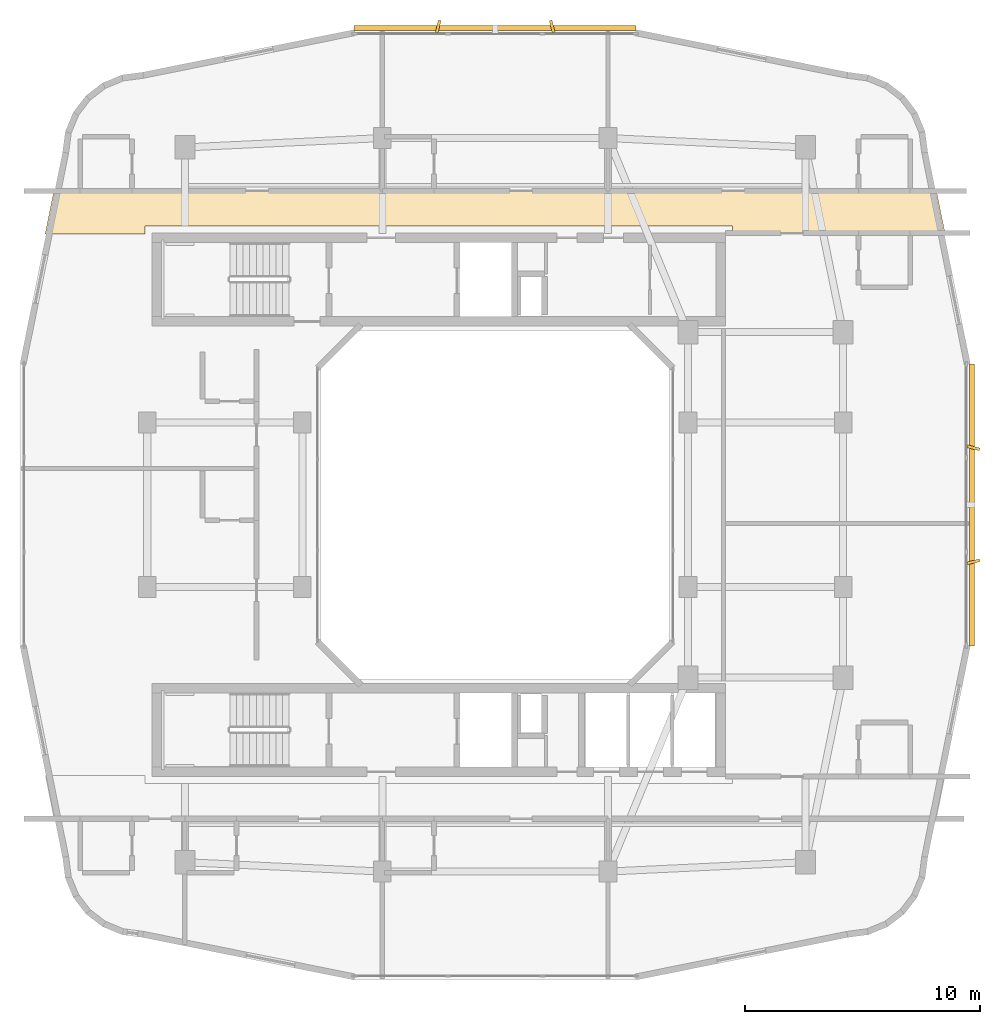
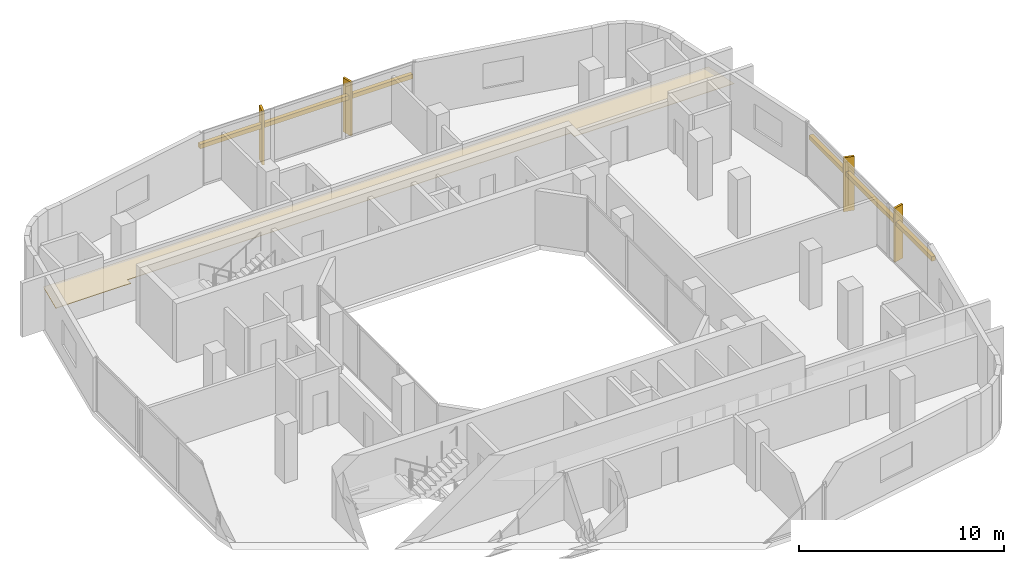
# One storey, part 14 of 14: 6 shading devices, 1 covering.
"""IFC4 building model written with IfcOpenShell, lengths in metres."""

from ifc_helpers import new_model, si_unit, derived_unit, direction, frame, origin, origin_2d, place, context, subcontext, project, spatial, polyline, rectangle, outline, extrude, material, layer, layer_set, type_object, element, save


model = new_model("IFC4")

# Units and contexts
model_context = context("Model", 3, precision=1e-05, world=origin(), true_north=direction((0.0, 1.0)))
body_context = subcontext(model_context, "Body", "Model", "MODEL_VIEW")
ifc_project = project(units=[si_unit("LENGTHUNIT", "METRE"), si_unit("AREAUNIT", "SQUARE_METRE"), si_unit("VOLUMEUNIT", "CUBIC_METRE"), si_unit("PLANEANGLEUNIT", "RADIAN"), si_unit("MASSUNIT", "GRAM", prefix="KILO"), derived_unit("THERMALTRANSMITTANCEUNIT", [(si_unit("POWERUNIT", "WATT"), 1), (si_unit("LENGTHUNIT", "METRE"), -2), (si_unit("THERMODYNAMICTEMPERATUREUNIT", "KELVIN"), -1)])], contexts=[model_context])

# Site, building, storey
site_placement = place(None, origin())
site = spatial("IfcSite", under=ifc_project, at=site_placement, CompositionType="ELEMENT")
building_placement = place(site_placement, origin())
building = spatial("IfcBuilding", under=site, at=building_placement, Name="Kivonza Crest Hotel", CompositionType="ELEMENT")
storey_placement = place(building_placement, frame((0.0, 0.0, 145.0)))
storey = spatial("IfcBuildingStorey", under=building, at=storey_placement, Name="L39", CompositionType="ELEMENT", Elevation=145.0)

# Covering
ifc_material_1 = material(Name="Moisture-resistant gypsum plasterboard ceiling", Category="gypsum")
ifc_layer = layer(ifc_material_1, 0.030029296875)
ifc_layer_set = layer_set([ifc_layer], Name="Moisture-resistant gypsum plasterboard ceiling")
covering_type = type_object("IfcCoveringType", Name="CV-CEIL-GYP", PredefinedType="CEILING", material=ifc_layer_set)
covering_placement = place(storey_placement, frame((0.0, 0.0, 2.449951171875)))
element("IfcCovering", 1, at=covering_placement, inside=storey, type_object=covering_type, Name="L39 Hotel North Guest Corridor suspended ceiling", PredefinedType="CEILING", context=body_context, shape_type="SweptSolid", body=[
    extrude(outline(polyline([(2.235107421875, 38.389892578125), (1.85791015625, 36.52001953125), (6.10009765625, 36.52001953125), (6.10009765625, 36.860107421875), (31.10009765625, 36.860107421875), (31.10009765625, 36.52001953125), (40.14208984375, 36.52001953125), (39.764892578125, 38.389892578125), (2.235107421875, 38.389892578125)])), origin(), (0.0, 0.0, 1.0), 0.030029296875),
])

# Shading devices
ifc_material_2 = material(Name="Kiln-fired Nairobi red-ochre terracotta", Category="masonry")
shading_device_type_1 = type_object("IfcShadingDeviceType", Name="SH-BAGUETTE-300", PredefinedType="USERDEFINED", material=ifc_material_2)
for number, where, z_axis, x_axis, name in (
    (2, (41.280029296875, 25.0, 2.1240234375), (0.0, 0.0, 1.0), (0.0, 1.0, 0.0), "L39 terracotta baguette screen CW-T1-L39-17"),
    (3, (21.0, 45.280029296875, 2.1240234375), (0.0, 0.0, 1.0), (-1.0, 0.0, 0.0), "L39 terracotta baguette screen CW-T1-L39-26"),
):
    element("IfcShadingDevice", number, at=place(storey_placement, frame(where, z_axis=z_axis, x_axis=x_axis)), inside=storey, type_object=shading_device_type_1, Name=name, ObjectType="BAGUETTE", PredefinedType="USERDEFINED", context=body_context, shape_type="SweptSolid", body=[
        extrude(rectangle(XDim=12.0, YDim=0.219970703125, at=origin_2d()), origin(), (0.0, 0.0, 1.0), 0.260009765625),
    ])
ifc_material_3 = material(Name="Kiln-fired terracotta over extruded aluminium spine", Category="masonry")
shading_device_type_2 = type_object("IfcShadingDeviceType", Name="SH-FIN-550", PredefinedType="USERDEFINED", material=ifc_material_3)
for number, where, z_axis, x_axis, name in (
    (4, (41.340087890625, 22.575927734375, 0.0), (0.0, 0.0, 1.0), (-0.2419218956, 0.970295726276, 0.0), "L39 vertical solar shading fin CW-T1-L39-17-1"),
    (5, (41.340087890625, 27.424072265625, 0.0), (0.0, 0.0, 1.0), (0.2419218956, 0.970295726276, 0.0), "L39 vertical solar shading fin CW-T1-L39-17-2"),
    (6, (23.424072265625, 45.340087890625, 0.0), (0.0, 0.0, 1.0), (-0.970295726276, -0.2419218956, 0.0), "L39 vertical solar shading fin CW-T1-L39-26-1"),
    (7, (18.575927734375, 45.340087890625, 0.0), (0.0, 0.0, 1.0), (-0.970295726276, 0.2419218956, 0.0), "L39 vertical solar shading fin CW-T1-L39-26-2"),
):
    element("IfcShadingDevice", number, at=place(storey_placement, frame(where, z_axis=z_axis, x_axis=x_axis)), inside=storey, type_object=shading_device_type_2, Name=name, ObjectType="FIN", PredefinedType="USERDEFINED", context=body_context, shape_type="SweptSolid", body=[
        extrude(rectangle(XDim=0.1201171875, YDim=0.550048828125, at=origin_2d()), origin(), (0.0, 0.0, 1.0), 3.219970703125),
    ])

save(model, "model.ifc")
